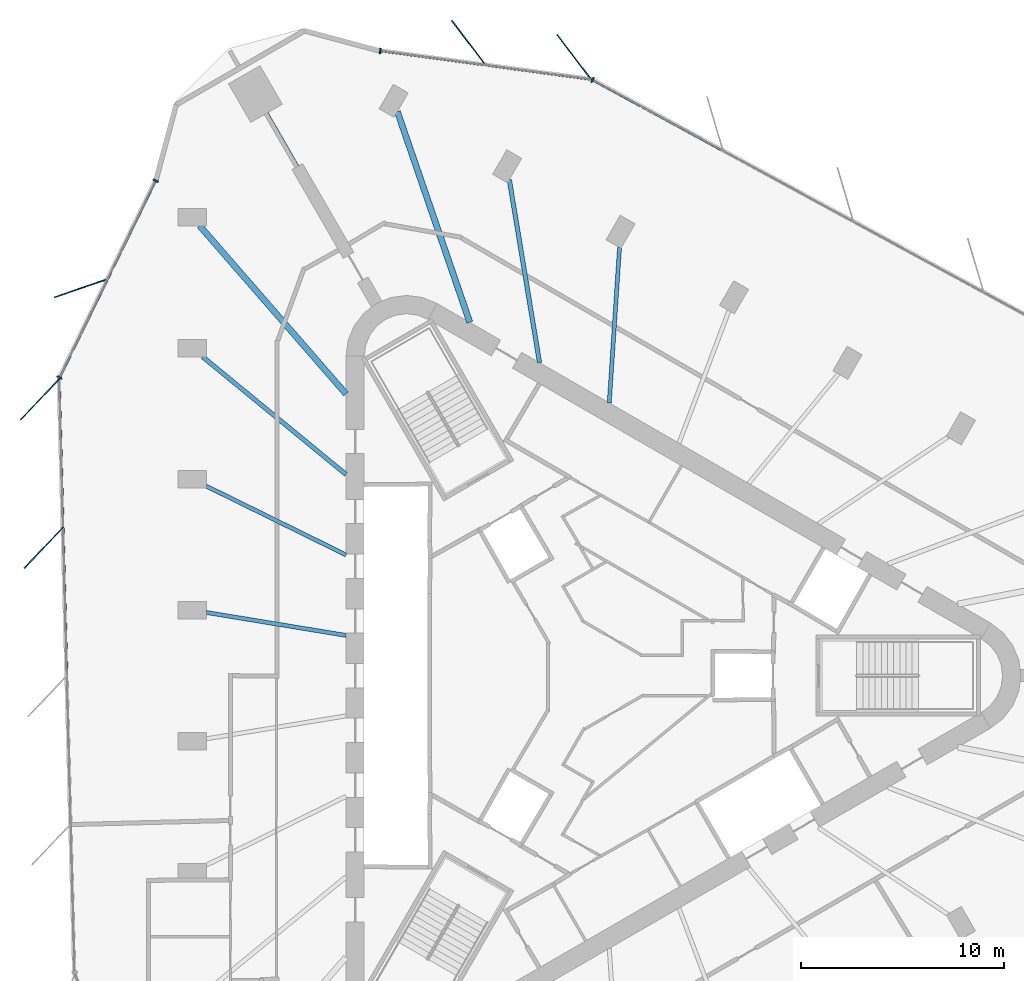
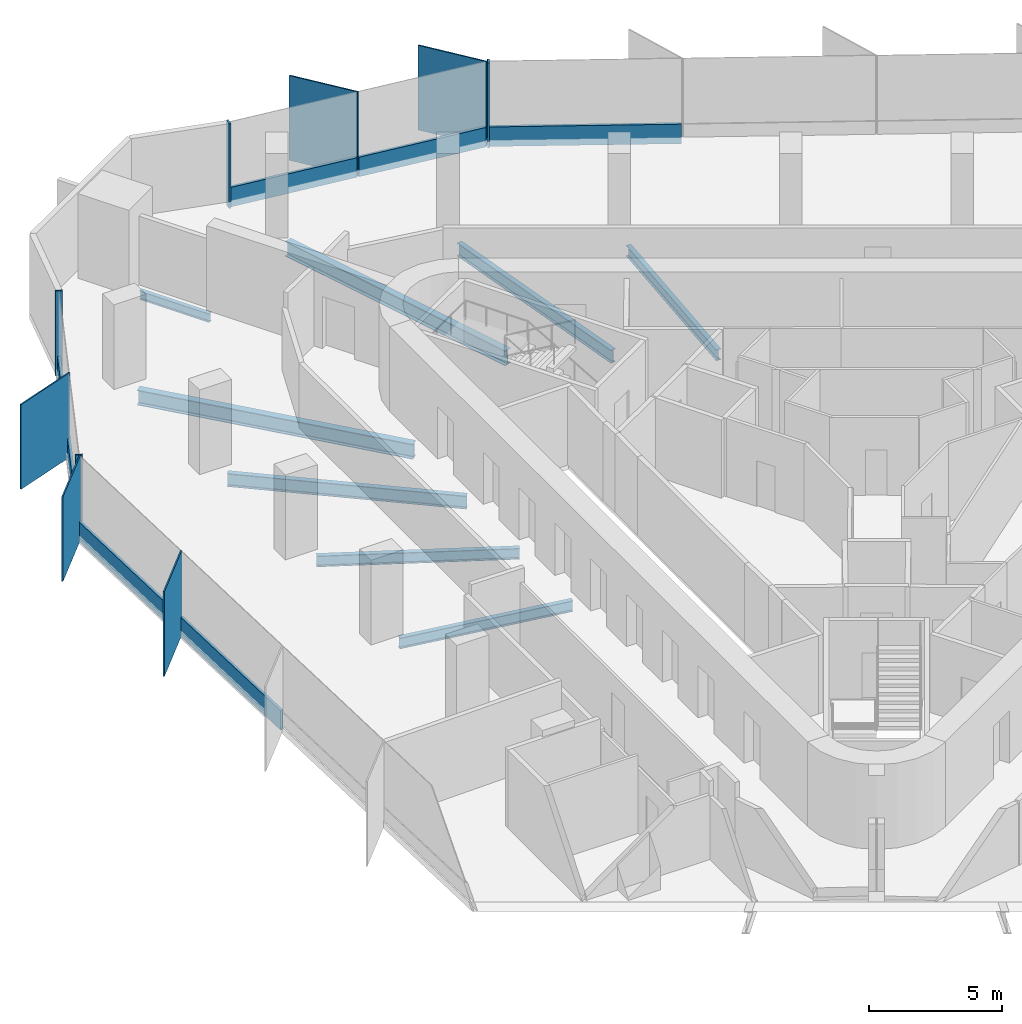
# One storey, part 4 of 12: 16 members, 8 beams, 4 elements without a shape of their own.
"""IFC4 building model written with IfcOpenShell, lengths in metres."""

from ifc_helpers import new_model, si_unit, direction, frame, origin, origin_2d, place, context, subcontext, project, spatial, rectangle, i_section, extrude, material, material_profile, profile_set, type_object, element, aggregate, save


model = new_model("IFC4")

# Units and contexts
model_context = context("Model", 3, precision=1e-05, world=origin(), true_north=direction((0.0, 1.0)))
body_context = subcontext(model_context, "Body", "Model", "MODEL_VIEW")
ifc_project = project(units=[si_unit("LENGTHUNIT", "METRE"), si_unit("AREAUNIT", "SQUARE_METRE"), si_unit("VOLUMEUNIT", "CUBIC_METRE"), si_unit("PLANEANGLEUNIT", "RADIAN"), si_unit("MASSUNIT", "GRAM", prefix="KILO")], contexts=[model_context])

# Site, building, storey
site_placement = place(None, origin())
site = spatial("IfcSite", under=ifc_project, at=site_placement, CompositionType="ELEMENT")
building_placement = place(site_placement, origin())
building = spatial("IfcBuilding", under=site, at=building_placement, Name="Tanit Gate Tower", CompositionType="ELEMENT")
storey_placement = place(building_placement, frame((0.0, 0.0, 353.300048828125)))
storey = spatial("IfcBuildingStorey", under=building, at=storey_placement, Name="L80", CompositionType="ELEMENT", Elevation=353.300048828125)

# Curtain wall, members
ifc_material_1 = material(Name="Aluminium bronze anodised and glass", Category="aluminium")
curtain_wall_type = type_object("IfcCurtainWallType", Name="Curtain wall typical high", PredefinedType="NOTDEFINED", material=ifc_material_1)
curtain_wall_1_placement = place(storey_placement, origin())
curtain_wall_1 = element("IfcCurtainWall", 1, at=curtain_wall_1_placement, inside=storey, type_object=curtain_wall_type, Name="Curtain wall L80 NE3", PredefinedType="NOTDEFINED")
ifc_material_2 = material(Name="Aluminium bronze anodised", Category="aluminium")
ifc_material_profile_1 = material_profile(ifc_material_2, rectangle(XDim=2.800048828125, YDim=0.055908203125, at=origin_2d()), Name="56x2800 bronze fin mullion")
ifc_profile_set_1 = profile_set([ifc_material_profile_1], Name="Aluminium bronze anodised")
member_type_1 = type_object("IfcMemberType", Name="FIN MULLION 56x2800 bronze", PredefinedType="MULLION", material=ifc_profile_set_1)
member_1_placement = place(storey_placement, frame((-0.84130859375, 30.51806640625, -0.300048828125), z_axis=(0.0, 0.0, 1.0), x_axis=(0.605901481659, -0.795539687585, 0.0)))
member_1 = element("IfcMember", 2, at=member_1_placement, type_object=member_type_1, Name="Fin mullion L80 NE3.1", PredefinedType="MULLION", context=body_context, shape_type="SweptSolid", body=[
    extrude(rectangle(XDim=2.800048828125, YDim=0.055908203125, at=origin_2d()), origin(), (0.0, 0.0, 1.0), 3.89990234375),
])
member_2_placement = place(storey_placement, frame((-6.04345703125, 31.221923828125, -0.300048828125), z_axis=(0.0, 0.0, 1.0), x_axis=(0.605901481659, -0.795539687585, 0.0)))
member_2 = element("IfcMember", 3, at=member_2_placement, type_object=member_type_1, Name="Fin mullion L80 NE3.2", PredefinedType="MULLION", context=body_context, shape_type="SweptSolid", body=[
    extrude(rectangle(XDim=2.800048828125, YDim=0.055908203125, at=origin_2d()), origin(), (0.0, 0.0, 1.0), 3.89990234375),
])

# Curtain wall, member
curtain_wall_2_placement = place(storey_placement, origin())
curtain_wall_2 = element("IfcCurtainWall", 4, at=curtain_wall_2_placement, inside=storey, type_object=curtain_wall_type, Name="Curtain wall L80 W1", PredefinedType="NOTDEFINED")
member_3_placement = place(storey_placement, frame((-25.170654296875, 19.119873046875, -0.300048828125), z_axis=(0.0, 0.0, 1.0), x_axis=(0.945536395011, 0.325516398526, 0.0)))
member_3 = element("IfcMember", 5, at=member_3_placement, type_object=member_type_1, Name="Fin mullion L80 W1.2", PredefinedType="MULLION", context=body_context, shape_type="SweptSolid", body=[
    extrude(rectangle(XDim=2.800048828125, YDim=0.055908203125, at=origin_2d()), origin(), (0.0, 0.0, 1.0), 3.89990234375),
])

# Curtain wall, members
curtain_wall_3_placement = place(storey_placement, origin())
curtain_wall_3 = element("IfcCurtainWall", 6, at=curtain_wall_3_placement, inside=storey, type_object=curtain_wall_type, Name="Curtain wall L80 W2", PredefinedType="NOTDEFINED")
member_4_placement = place(storey_placement, frame((-27.20166015625, 13.635498046875, -0.300048828125), z_axis=(0.0, 0.0, 1.0), x_axis=(0.688538110764, 0.725200158595, 0.0)))
member_4 = element("IfcMember", 7, at=member_4_placement, type_object=member_type_1, Name="Fin mullion L80 W2.1", PredefinedType="MULLION", context=body_context, shape_type="SweptSolid", body=[
    extrude(rectangle(XDim=2.800048828125, YDim=0.055908203125, at=origin_2d()), origin(), (0.0, 0.0, 1.0), 3.89990234375),
])
member_5_placement = place(storey_placement, frame((-27.01171875, 6.31689453125, -0.300048828125), z_axis=(0.0, 0.0, 1.0), x_axis=(0.688538110764, 0.725200158595, 0.0)))
member_5 = element("IfcMember", 8, at=member_5_placement, type_object=member_type_1, Name="Fin mullion L80 W2.2", PredefinedType="MULLION", context=body_context, shape_type="SweptSolid", body=[
    extrude(rectangle(XDim=2.800048828125, YDim=0.055908203125, at=origin_2d()), origin(), (0.0, 0.0, 1.0), 3.89990234375),
])

# Curtain wall, member
curtain_wall_4_placement = place(storey_placement, origin())
curtain_wall_4 = element("IfcCurtainWall", 9, at=curtain_wall_4_placement, inside=storey, type_object=curtain_wall_type, Name="Curtain wall L80 NE2", PredefinedType="NOTDEFINED")
ifc_material_3 = material(Name="Aluminium bronze anodised", Category="aluminium")
ifc_material_profile_2 = material_profile(ifc_material_3, rectangle(XDim=0.280029296875, YDim=0.080078125, at=origin_2d()), Name="80x280 bronze mullion")
ifc_profile_set_2 = profile_set([ifc_material_profile_2], Name="Aluminium bronze anodised")
member_type_2 = type_object("IfcMemberType", Name="Mullion 80x280 typical high", PredefinedType="MULLION", material=ifc_profile_set_2)
member_6_placement = place(storey_placement, frame((0.069580078125, 29.3955078125, -0.300048828125), z_axis=(0.0, 0.0, 1.0), x_axis=(-0.477381131015, -0.87869633876, 0.0)))
member_6 = element("IfcMember", 10, at=member_6_placement, type_object=member_type_2, Name="Mullion L80 NE2.5", PredefinedType="MULLION", context=body_context, shape_type="SweptSolid", body=[
    extrude(rectangle(XDim=0.280029296875, YDim=0.080078125, at=origin_2d()), origin(), (0.0, 0.0, 1.0), 3.89990234375),
])

# Member
member_7_placement = place(storey_placement, frame((-10.409423828125, 30.827880859375, -0.300048828125), z_axis=(0.0, 0.0, 1.0), x_axis=(-0.134094461382, -0.990968554207, 0.0)))
member_7 = element("IfcMember", 11, at=member_7_placement, type_object=member_type_2, Name="Mullion L80 NE3.3", PredefinedType="MULLION", context=body_context, shape_type="SweptSolid", body=[
    extrude(rectangle(XDim=0.280029296875, YDim=0.080078125, at=origin_2d()), origin(), (0.0, 0.0, 1.0), 3.89990234375),
])

member_8_placement = place(storey_placement, frame((-21.496337890625, 24.426025390625, -0.300048828125), z_axis=(0.0, 0.0, 1.0), x_axis=(0.898770049556, -0.438420343985, 0.0)))
member_8 = element("IfcMember", 12, at=member_8_placement, type_object=member_type_2, Name="Mullion L80 W1.1", PredefinedType="MULLION", context=body_context, shape_type="SweptSolid", body=[
    extrude(rectangle(XDim=0.280029296875, YDim=0.080078125, at=origin_2d()), origin(), (0.0, 0.0, 1.0), 3.89990234375),
])

member_9_placement = place(storey_placement, frame((-26.23486328125, 14.71240234375, -0.300048828125), z_axis=(0.0, 0.0, 1.0), x_axis=(0.898770049556, -0.438420343985, 0.0)))
member_9 = element("IfcMember", 13, at=member_9_placement, type_object=member_type_2, Name="Mullion L80 W1.3", PredefinedType="MULLION", context=body_context, shape_type="SweptSolid", body=[
    extrude(rectangle(XDim=0.280029296875, YDim=0.080078125, at=origin_2d()), origin(), (0.0, 0.0, 1.0), 3.89990234375),
])

# Beams
ifc_material_4 = material(Name="Steel S355", Category="steel")
ifc_material_profile_3 = material_profile(ifc_material_4, i_section(OverallWidth=0.300048828125, OverallDepth=0.68994140625, WebThickness=0.014404296875, FlangeThickness=0.027099609375, FilletRadius=0.027099609375, at=origin_2d()), Name="HEA 700")
ifc_profile_set_3 = profile_set([ifc_material_profile_3], Name="Steel S355")
beam_type_1 = type_object("IfcBeamType", Name="RADIAL GIRDER HEA 700 S355", PredefinedType="BEAM", material=ifc_profile_set_3)
for number, where, z_axis, x_axis, name in (
    (14, (-9.563720703125, 27.83251953125, -0.64501953125), (0.324979251092, -0.945721146195, 0.0), (0.945721146195, 0.324979251092, 0.0), "RADIAL GIRDER"),
    (15, (-19.322021484375, 22.198486328125, -0.64501953125), (0.656551846621, -0.754280897742, 0.0), (0.754280897742, 0.656551846621, 0.0), "RADIAL GIRDER"),
):
    element("IfcBeam", number, at=place(storey_placement, frame(where, z_axis=z_axis, x_axis=x_axis)), inside=storey, type_object=beam_type_1, Name=name, PredefinedType="BEAM", context=body_context, shape_type="SweptSolid", body=[
        extrude(i_section(OverallWidth=0.300048828125, OverallDepth=0.68994140625, WebThickness=0.014404296875, FlangeThickness=0.027099609375, FilletRadius=0.027099609375, at=origin_2d()), origin(), (0.0, 0.0, 1.0), 10.996826171875),
    ])
ifc_material_5 = material(Name="Steel S355", Category="steel")
ifc_material_profile_4 = material_profile(ifc_material_5, i_section(OverallWidth=0.179931640625, OverallDepth=0.39990234375, WebThickness=0.008544921875, FlangeThickness=0.013427734375, FilletRadius=0.02099609375, at=origin_2d()), Name="IPE 400")
ifc_profile_set_4 = profile_set([ifc_material_profile_4], Name="Steel S355")
beam_type_2 = type_object("IfcBeamType", Name="RADIAL GIRDER IPE 400 S355", PredefinedType="BEAM", material=ifc_profile_set_4)
beam_1_placement = place(storey_placement, frame((-16.019775390625, 27.746826171875, -0.5), z_axis=(0.500014901547, -0.866016800201, 0.0), x_axis=(0.866016800201, 0.500014901547, 0.0)))
element("IfcBeam", 16, at=beam_1_placement, inside=storey, type_object=beam_type_2, Name="RADIAL GIRDER", PredefinedType="BEAM", context=body_context, shape_type="SweptSolid", body=[
    extrude(i_section(OverallWidth=0.179931640625, OverallDepth=0.39990234375, WebThickness=0.008544921875, FlangeThickness=0.013427734375, FilletRadius=0.02099609375, at=origin_2d()), origin(), (0.0, 0.0, 1.0), 3.03515625),
])
ifc_material_6 = material(Name="Steel S355", Category="steel")
ifc_material_profile_5 = material_profile(ifc_material_6, i_section(OverallWidth=0.199951171875, OverallDepth=0.5, WebThickness=0.01025390625, FlangeThickness=0.01611328125, FilletRadius=0.02099609375, at=origin_2d()), Name="IPE 500")
ifc_profile_set_5 = profile_set([ifc_material_profile_5], Name="Steel S355")
beam_type_3 = type_object("IfcBeamType", Name="RADIAL GIRDER IPE 500 S355", PredefinedType="BEAM", material=ifc_profile_set_5)
beam_2_placement = place(storey_placement, frame((1.3974609375, 21.122802734375, -0.550048828125), z_axis=(-0.066029480547, -0.997817672573, 0.0), x_axis=(0.997817672573, -0.066029480547, 0.0)))
element("IfcBeam", 17, at=beam_2_placement, inside=storey, type_object=beam_type_3, Name="RADIAL GIRDER", PredefinedType="BEAM", context=body_context, shape_type="SweptSolid", body=[
    extrude(i_section(OverallWidth=0.199951171875, OverallDepth=0.5, WebThickness=0.01025390625, FlangeThickness=0.01611328125, FilletRadius=0.02099609375, at=origin_2d()), origin(), (0.0, 0.0, 1.0), 7.6796875),
])
beam_3_placement = place(storey_placement, frame((-18.99169921875, 9.35107421875, -0.550048828125), z_axis=(0.897144509959, -0.441737171009, 0.0), x_axis=(0.441737171009, 0.897144509959, 0.0)))
element("IfcBeam", 18, at=beam_3_placement, inside=storey, type_object=beam_type_3, Name="RADIAL GIRDER", PredefinedType="BEAM", context=body_context, shape_type="SweptSolid", body=[
    extrude(i_section(OverallWidth=0.199951171875, OverallDepth=0.5, WebThickness=0.01025390625, FlangeThickness=0.01611328125, FilletRadius=0.02099609375, at=origin_2d()), origin(), (0.0, 0.0, 1.0), 7.679443359375),
])
beam_4_placement = place(storey_placement, frame((-18.99169921875, 3.116943359375, -0.550048828125), z_axis=(0.986795432202, -0.161971525229, 0.0), x_axis=(0.161971525229, 0.986795432202, 0.0)))
element("IfcBeam", 19, at=beam_4_placement, inside=storey, type_object=beam_type_3, Name="RADIAL GIRDER", PredefinedType="BEAM", context=body_context, shape_type="SweptSolid", body=[
    extrude(i_section(OverallWidth=0.199951171875, OverallDepth=0.5, WebThickness=0.01025390625, FlangeThickness=0.01611328125, FilletRadius=0.02099609375, at=origin_2d()), origin(), (0.0, 0.0, 1.0), 6.98193359375),
])
ifc_material_7 = material(Name="Steel S355", Category="steel")
ifc_material_profile_6 = material_profile(ifc_material_7, i_section(OverallWidth=0.219970703125, OverallDepth=0.60009765625, WebThickness=0.011962890625, FlangeThickness=0.01904296875, FilletRadius=0.02392578125, at=origin_2d()), Name="IPE 600")
ifc_profile_set_6 = profile_set([ifc_material_profile_6], Name="Steel S355")
beam_type_4 = type_object("IfcBeamType", Name="RADIAL GIRDER IPE 600 S355", PredefinedType="BEAM", material=ifc_profile_set_6)
for number, where, z_axis, x_axis, name in (
    (20, (-4.039794921875, 24.472412109375, -0.60009765625), (0.162871136194, -0.986647349865, 0.0), (0.986647349865, 0.162871136194, 0.0), "RADIAL GIRDER"),
    (21, (-19.173828125, 15.734619140625, -0.60009765625), (0.773033772719, -0.634364868381, 0.0), (0.634364868381, 0.773033772719, 0.0), "RADIAL GIRDER"),
):
    element("IfcBeam", number, at=place(storey_placement, frame(where, z_axis=z_axis, x_axis=x_axis)), inside=storey, type_object=beam_type_4, Name=name, PredefinedType="BEAM", context=body_context, shape_type="SweptSolid", body=[
        extrude(i_section(OverallWidth=0.219970703125, OverallDepth=0.60009765625, WebThickness=0.011962890625, FlangeThickness=0.01904296875, FilletRadius=0.02392578125, at=origin_2d()), origin(), (0.0, 0.0, 1.0), 9.148193359375),
    ])

# Member
ifc_material_8 = material(Name="Aluminium bronze anodised", Category="aluminium")
ifc_material_profile_7 = material_profile(ifc_material_8, rectangle(XDim=0.1201171875, YDim=0.89990234375, at=origin_2d()), Name="120x900 bronze transom")
ifc_profile_set_7 = profile_set([ifc_material_profile_7], Name="Aluminium bronze anodised")
member_type_3 = type_object("IfcMemberType", Name="Transom 120x900 typical high", PredefinedType="USERDEFINED", material=ifc_profile_set_7)
member_10_placement = place(storey_placement, frame((6.46728515625, 25.919677734375, 0.14990234375), z_axis=(-0.878689388466, 0.477393923921, 0.0), x_axis=(-0.477393923921, -0.878689388466, 0.0)))
member_10 = element("IfcMember", 22, at=member_10_placement, type_object=member_type_3, Name="Transom L80 NE2.4", ObjectType="TRANSOM", PredefinedType="USERDEFINED", context=body_context, shape_type="SweptSolid", body=[
    extrude(rectangle(XDim=0.1201171875, YDim=0.89990234375, at=origin_2d()), origin(), (0.0, 0.0, 1.0), 7.240966796875),
])

aggregate(curtain_wall_4, [member_6, member_10])

member_11_placement = place(storey_placement, frame((-0.044677734375, 29.42529296875, 0.14990234375), z_axis=(-0.990965308364, 0.134118446233, 0.0), x_axis=(-0.134118446233, -0.990965308364, 0.0)))
member_11 = element("IfcMember", 23, at=member_11_placement, type_object=member_type_3, Name="Transom L80 NE3.1", ObjectType="TRANSOM", PredefinedType="USERDEFINED", context=body_context, shape_type="SweptSolid", body=[
    extrude(rectangle(XDim=0.1201171875, YDim=0.89990234375, at=origin_2d()), origin(), (0.0, 0.0, 1.0), 5.169677734375),
])

member_12_placement = place(storey_placement, frame((-5.246826171875, 30.12939453125, 0.14990234375), z_axis=(-0.990971583812, 0.134072070456, 0.0), x_axis=(-0.134072070456, -0.990971583812, 0.0)))
member_12 = element("IfcMember", 24, at=member_12_placement, type_object=member_type_3, Name="Transom L80 NE3.2", ObjectType="TRANSOM", PredefinedType="USERDEFINED", context=body_context, shape_type="SweptSolid", body=[
    extrude(rectangle(XDim=0.1201171875, YDim=0.89990234375, at=origin_2d()), origin(), (0.0, 0.0, 1.0), 5.169677734375),
])

aggregate(curtain_wall_1, [member_1, member_2, member_7, member_11, member_12])

member_13_placement = place(storey_placement, frame((-21.513916015625, 24.39013671875, 0.14990234375), z_axis=(-0.43844260512, -0.898759190226, 0.0), x_axis=(0.898759190226, -0.43844260512, 0.0)))
member_13 = element("IfcMember", 25, at=member_13_placement, type_object=member_type_3, Name="Transom L80 W1.1", ObjectType="TRANSOM", PredefinedType="USERDEFINED", context=body_context, shape_type="SweptSolid", body=[
    extrude(rectangle(XDim=0.1201171875, YDim=0.89990234375, at=origin_2d()), origin(), (0.0, 0.0, 1.0), 5.323974609375),
])

member_14_placement = place(storey_placement, frame((-23.883056640625, 19.533203125, 0.14990234375), z_axis=(-0.43844260512, -0.898759190226, 0.0), x_axis=(0.898759190226, -0.43844260512, 0.0)))
member_14 = element("IfcMember", 26, at=member_14_placement, type_object=member_type_3, Name="Transom L80 W1.2", ObjectType="TRANSOM", PredefinedType="USERDEFINED", context=body_context, shape_type="SweptSolid", body=[
    extrude(rectangle(XDim=0.1201171875, YDim=0.89990234375, at=origin_2d()), origin(), (0.0, 0.0, 1.0), 5.323974609375),
])

aggregate(curtain_wall_2, [member_8, member_3, member_9, member_13, member_14])

member_15_placement = place(storey_placement, frame((-26.250244140625, 14.596435546875, 0.14990234375), z_axis=(0.025928074156, -0.999663810974, 0.0), x_axis=(0.999663810974, 0.025928074156, 0.0)))
member_15 = element("IfcMember", 27, at=member_15_placement, type_object=member_type_3, Name="Transom L80 W2.1", ObjectType="TRANSOM", PredefinedType="USERDEFINED", context=body_context, shape_type="SweptSolid", body=[
    extrude(rectangle(XDim=0.1201171875, YDim=0.89990234375, at=origin_2d()), origin(), (0.0, 0.0, 1.0), 7.240966796875),
])

member_16_placement = place(storey_placement, frame((-26.060546875, 7.27783203125, 0.14990234375), z_axis=(0.025928948098, -0.999663788306, 0.0), x_axis=(0.999663788306, 0.025928948098, 0.0)))
member_16 = element("IfcMember", 28, at=member_16_placement, type_object=member_type_3, Name="Transom L80 W2.2", ObjectType="TRANSOM", PredefinedType="USERDEFINED", context=body_context, shape_type="SweptSolid", body=[
    extrude(rectangle(XDim=0.1201171875, YDim=0.89990234375, at=origin_2d()), origin(), (0.0, 0.0, 1.0), 7.24072265625),
])

aggregate(curtain_wall_3, [member_4, member_5, member_15, member_16])

save(model, "model.ifc")
